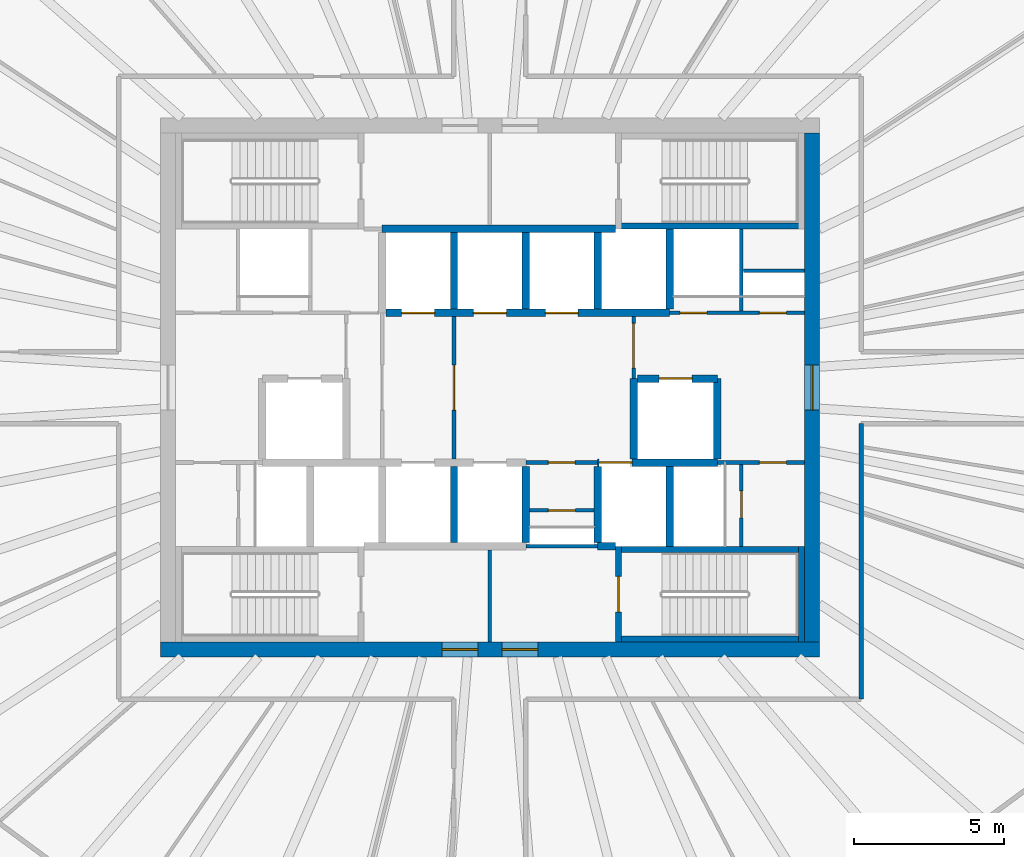
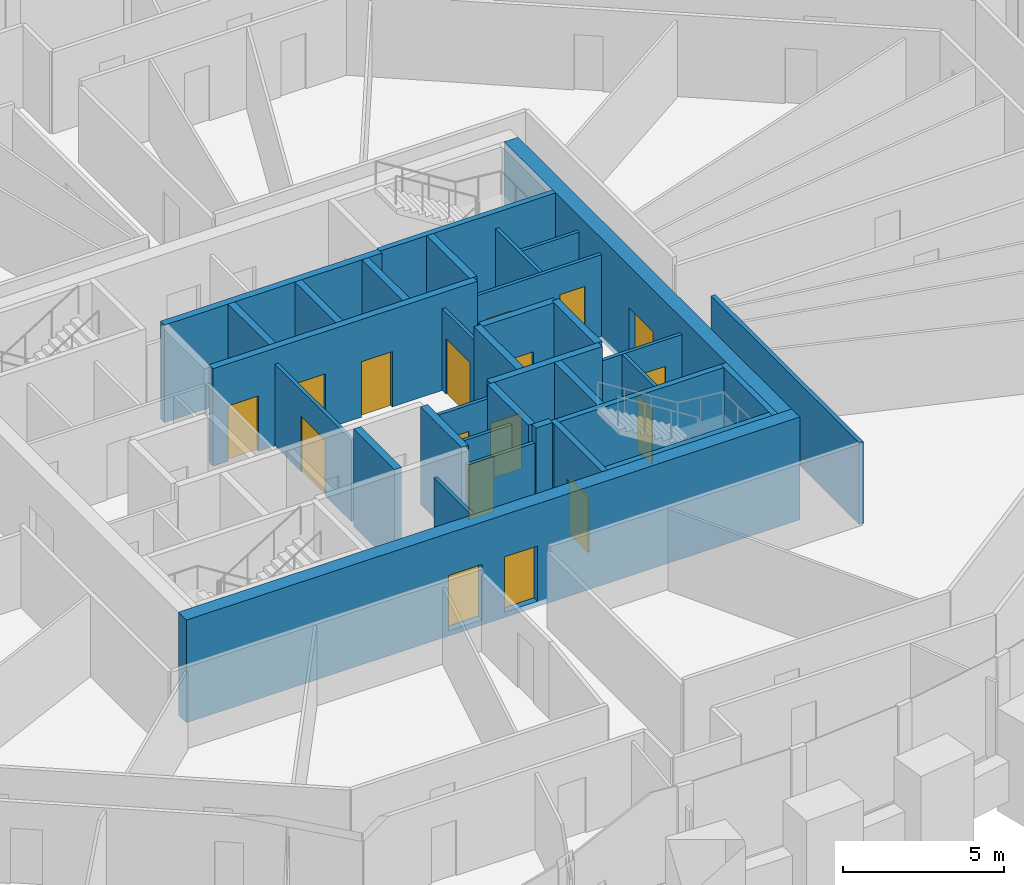
# One storey, part 8 of 12: 34 walls, 17 doors, 17 openings.
"""IFC4 building model written with IfcOpenShell, lengths in metres."""

from ifc_helpers import new_model, si_unit, direction, frame, frame_2d, origin, place, context, subcontext, project, spatial, rectangle, extrude, source, transform, mapped, material, layer, layer_set, type_object, element, fill, save


model = new_model("IFC4")

# Units and contexts
model_context = context("Model", 3, precision=1e-05, world=origin(), true_north=direction((0.0, 1.0)))
body_context = subcontext(model_context, "Body", "Model", "MODEL_VIEW")
ifc_project = project(units=[si_unit("LENGTHUNIT", "METRE"), si_unit("AREAUNIT", "SQUARE_METRE"), si_unit("VOLUMEUNIT", "CUBIC_METRE"), si_unit("PLANEANGLEUNIT", "RADIAN"), si_unit("MASSUNIT", "GRAM", prefix="KILO")], contexts=[model_context])

# Site, building, storey
site_placement = place(None, origin())
site = spatial("IfcSite", under=ifc_project, at=site_placement, CompositionType="ELEMENT")
building_placement = place(site_placement, origin())
building = spatial("IfcBuilding", under=site, at=building_placement, Name="Embergate Tower", CompositionType="ELEMENT")
storey_placement = place(building_placement, frame((0.0, 0.0, 253.89990234375)))
storey = spatial("IfcBuildingStorey", under=building, at=storey_placement, Name="L58", CompositionType="ELEMENT", Elevation=253.89990234375)

# Wall, openings, doors
ifc_material_1 = material(Name="Concrete C50", Category="concrete")
ifc_layer_1 = layer(ifc_material_1, 0.5)
ifc_layer_set_1 = layer_set([ifc_layer_1], Name="Concrete C50")
wall_type_1 = type_object("IfcWallType", Name="Core outer wall C50 500", PredefinedType="SHEAR", material=ifc_layer_set_1)
shared_shape_1 = source(origin(), body_context, "Body", "SweptSolid", [
    extrude(rectangle(XDim=22.0, YDim=0.5, at=frame_2d((11.0, 0.0))), origin(), (0.0, 0.0, 1.0), 3.900146484375),
])
wall_1_placement = place(storey_placement, frame((-11.0, -8.75, -0.199951171875), z_axis=(0.0, 0.0, 1.0), x_axis=(1.0, 0.0, 0.0)))
wall_1 = element("IfcWall", 1, at=wall_1_placement, inside=storey, type_object=wall_type_1, Name="CW-L58-S", PredefinedType="SHEAR", context=body_context, shape_type="MappedRepresentation", body=[
    mapped(shared_shape_1, transform((0.0, 0.0, 0.0))),
])
shared_shape_2 = source(origin(), body_context, "Body", "SweptSolid", [
    extrude(rectangle(XDim=1.199951171875, YDim=2.10009765625, at=frame_2d((0.60009765625, 1.050048828125))), frame((0.0, 0.260009765625, 0.0), z_axis=(0.0, -1.0, 0.0), x_axis=(1.0, 0.0, 0.0)), (0.0, 0.0, 1.0), 0.52001953125),
])
opening_1_placement = place(wall_1_placement, frame((9.39990234375, 0.0, 0.199951171875)))
opening_1 = element("IfcOpeningElement", 2, at=opening_1_placement, cuts=wall_1, Name="Opening IF-1", PredefinedType="OPENING", context=body_context, shape_type="MappedRepresentation", body=[
    mapped(shared_shape_2, transform((0.0, 0.0, 0.0))),
])
opening_2_placement = place(wall_1_placement, frame((11.39990234375, 0.0, 0.199951171875)))
opening_2 = element("IfcOpeningElement", 3, at=opening_2_placement, cuts=wall_1, Name="Opening IF-1", PredefinedType="OPENING", context=body_context, shape_type="MappedRepresentation", body=[
    mapped(shared_shape_2, transform((0.0, 0.0, 0.0))),
])
ifc_material_2 = material(Name="Escape fire door 1200")
door_type_1 = type_object("IfcDoorType", Name="Escape fire door 1200", OperationType="SINGLE_SWING_LEFT", PredefinedType="DOOR", material=ifc_material_2)
shared_shape_3 = source(origin(), body_context, "Body", "SweptSolid", [
    extrude(rectangle(XDim=1.199951171875, YDim=2.10009765625, at=frame_2d((0.60009765625, 1.050048828125))), frame((0.0, 0.02490234375, 0.0), z_axis=(0.0, -1.0, 0.0), x_axis=(1.0, 0.0, 0.0)), (0.0, 0.0, 1.0), 0.050048828125),
])
door_1_placement = place(opening_1_placement, origin())
door_1 = element("IfcDoor", 4, at=door_1_placement, inside=storey, type_object=door_type_1, Name="IF-1 door", OperationType="SINGLE_SWING_LEFT", OverallHeight=2.10009765625, OverallWidth=1.199951171875, PredefinedType="DOOR", context=body_context, shape_type="MappedRepresentation", body=[
    mapped(shared_shape_3, transform((0.0, 0.0, 0.0))),
])
fill(opening_1, door_1)
door_2_placement = place(opening_2_placement, origin())
door_2 = element("IfcDoor", 5, at=door_2_placement, inside=storey, type_object=door_type_1, Name="IF-1 door", OperationType="SINGLE_SWING_RIGHT", OverallHeight=2.10009765625, OverallWidth=1.199951171875, PredefinedType="DOOR", context=body_context, shape_type="MappedRepresentation", body=[
    mapped(shared_shape_3, transform((0.0, 0.0, 0.0))),
])
fill(opening_2, door_2)

# Wall, opening, door
shared_shape_4 = source(origin(), body_context, "Body", "SweptSolid", [
    extrude(rectangle(XDim=17.0, YDim=0.5, at=frame_2d((8.5, 0.0))), origin(), (0.0, 0.0, 1.0), 3.900146484375),
])
wall_2_placement = place(storey_placement, frame((10.75, -8.5, -0.199951171875), z_axis=(0.0, 0.0, 1.0), x_axis=(0.0, 1.0, 0.0)))
wall_2 = element("IfcWall", 6, at=wall_2_placement, inside=storey, type_object=wall_type_1, Name="CW-L58-E", PredefinedType="SHEAR", context=body_context, shape_type="MappedRepresentation", body=[
    mapped(shared_shape_4, transform((0.0, 0.0, 0.0))),
])
shared_shape_5 = source(origin(), body_context, "Body", "SweptSolid", [
    extrude(rectangle(XDim=1.5, YDim=2.10009765625, at=frame_2d((0.75, 1.050048828125))), frame((0.0, 0.260009765625, 0.0), z_axis=(0.0, -1.0, 0.0), x_axis=(1.0, 0.0, 0.0)), (0.0, 0.0, 1.0), 0.52001953125),
])
opening_3_placement = place(wall_2_placement, frame((7.75, 0.0, 0.199951171875)))
opening_3 = element("IfcOpeningElement", 7, at=opening_3_placement, cuts=wall_2, Name="Opening IF-3", PredefinedType="OPENING", context=body_context, shape_type="MappedRepresentation", body=[
    mapped(shared_shape_5, transform((0.0, 0.0, 0.0))),
])
ifc_material_3 = material(Name="Lobby fire door pair 1500")
door_type_2 = type_object("IfcDoorType", Name="Lobby fire door pair 1500", OperationType="DOUBLE_DOOR_SINGLE_SWING", PredefinedType="DOOR", material=ifc_material_3)
shared_shape_6 = source(origin(), body_context, "Body", "SweptSolid", [
    extrude(rectangle(XDim=1.5, YDim=2.10009765625, at=frame_2d((0.75, 1.050048828125))), frame((0.0, 0.02490234375, 0.0), z_axis=(0.0, -1.0, 0.0), x_axis=(1.0, 0.0, 0.0)), (0.0, 0.0, 1.0), 0.050048828125),
])
door_3_placement = place(opening_3_placement, origin())
door_3 = element("IfcDoor", 8, at=door_3_placement, inside=storey, type_object=door_type_2, Name="IF-3 door", OperationType="DOUBLE_DOOR_SINGLE_SWING", OverallHeight=2.10009765625, OverallWidth=1.5, PredefinedType="DOOR", context=body_context, shape_type="MappedRepresentation", body=[
    mapped(shared_shape_6, transform((0.0, 0.0, 0.0))),
])
fill(opening_3, door_3)

ifc_material_4 = material(Name="Core partition blockwork 120")
ifc_layer_2 = layer(ifc_material_4, 0.1201171875)
ifc_layer_set_2 = layer_set([ifc_layer_2], Name="Core partition blockwork 120")
wall_type_2 = type_object("IfcWallType", Name="Core partition blockwork 120", PredefinedType="PARTITIONING", material=ifc_layer_set_2)
shared_shape_7 = source(origin(), body_context, "Body", "SweptSolid", [
    extrude(rectangle(XDim=2.739990234375, YDim=0.1201171875, at=frame_2d((1.3701171875, 0.0))), origin(), (0.0, 0.0, 1.0), 3.10009765625),
])
wall_3_placement = place(storey_placement, frame((8.39990234375, -5.300048828125, 0.0), z_axis=(0.0, 0.0, 1.0), x_axis=(0.0, 1.0, 0.0)))
wall_3 = element("IfcWall", 9, at=wall_3_placement, inside=storey, type_object=wall_type_2, Name="IP-3 wall", PredefinedType="PARTITIONING", context=body_context, shape_type="MappedRepresentation", body=[
    mapped(shared_shape_7, transform((0.0, 0.0, 0.0))),
])
shared_shape_8 = source(origin(), body_context, "Body", "SweptSolid", [
    extrude(rectangle(XDim=0.89990234375, YDim=2.10009765625, at=frame_2d((0.449951171875, 1.050048828125))), frame((0.0, 0.070068359375, 0.0), z_axis=(0.0, -1.0, 0.0), x_axis=(1.0, 0.0, 0.0)), (0.0, 0.0, 1.0), 0.14013671875),
])
opening_4_placement = place(wall_3_placement, frame((0.949951171875, 0.0, 0.0)))
opening_4 = element("IfcOpeningElement", 10, at=opening_4_placement, cuts=wall_3, Name="Opening ID-1", PredefinedType="OPENING", context=body_context, shape_type="MappedRepresentation", body=[
    mapped(shared_shape_8, transform((0.0, 0.0, 0.0))),
])
ifc_material_5 = material(Name="Interior door 900")
door_type_3 = type_object("IfcDoorType", Name="Interior door 900", OperationType="SINGLE_SWING_LEFT", PredefinedType="DOOR", material=ifc_material_5)
shared_shape_9 = source(origin(), body_context, "Body", "SweptSolid", [
    extrude(rectangle(XDim=0.89990234375, YDim=2.10009765625, at=frame_2d((0.449951171875, 1.050048828125))), frame((0.0, 0.02490234375, 0.0), z_axis=(0.0, -1.0, 0.0), x_axis=(1.0, 0.0, 0.0)), (0.0, 0.0, 1.0), 0.050048828125),
])
door_4_placement = place(opening_4_placement, origin())
door_4 = element("IfcDoor", 11, at=door_4_placement, inside=storey, type_object=door_type_3, Name="ID-1 door", OperationType="SINGLE_SWING_LEFT", OverallHeight=2.10009765625, OverallWidth=0.89990234375, PredefinedType="DOOR", context=body_context, shape_type="MappedRepresentation", body=[
    mapped(shared_shape_9, transform((0.0, 0.0, 0.0))),
])
fill(opening_4, door_4)

shared_shape_10 = source(origin(), body_context, "Body", "SweptSolid", [
    extrude(rectangle(XDim=4.75, YDim=0.1201171875, at=frame_2d((2.375, 0.0))), origin(), (0.0, 0.0, 1.0), 3.10009765625),
])
wall_4_placement = place(storey_placement, frame((-1.199951171875, -2.375, 0.0), z_axis=(0.0, 0.0, 1.0), x_axis=(0.0, 1.0, 0.0)))
wall_4 = element("IfcWall", 12, at=wall_4_placement, inside=storey, type_object=wall_type_2, Name="IP-3 wall", PredefinedType="PARTITIONING", context=body_context, shape_type="MappedRepresentation", body=[
    mapped(shared_shape_10, transform((0.0, 0.0, 0.0))),
])
shared_shape_11 = source(origin(), body_context, "Body", "SweptSolid", [
    extrude(rectangle(XDim=1.5, YDim=2.10009765625, at=frame_2d((0.75, 1.050048828125))), frame((0.0, 0.070068359375, 0.0), z_axis=(0.0, -1.0, 0.0), x_axis=(1.0, 0.0, 0.0)), (0.0, 0.0, 1.0), 0.14013671875),
])
opening_5_placement = place(wall_4_placement, frame((1.625, 0.0, 0.0)))
opening_5 = element("IfcOpeningElement", 13, at=opening_5_placement, cuts=wall_4, Name="Opening IF-3", PredefinedType="OPENING", context=body_context, shape_type="MappedRepresentation", body=[
    mapped(shared_shape_11, transform((0.0, 0.0, 0.0))),
])
door_5_placement = place(opening_5_placement, origin())
door_5 = element("IfcDoor", 14, at=door_5_placement, inside=storey, type_object=door_type_2, Name="IF-3 door", OperationType="DOUBLE_DOOR_SINGLE_SWING", OverallHeight=2.10009765625, OverallWidth=1.5, PredefinedType="DOOR", context=body_context, shape_type="MappedRepresentation", body=[
    mapped(shared_shape_6, transform((0.0, 0.0, 0.0))),
])
fill(opening_5, door_5)

shared_shape_12 = source(origin(), body_context, "Body", "SweptSolid", [
    extrude(rectangle(XDim=2.074951171875, YDim=0.1201171875, at=frame_2d((1.03759765625, 0.0))), origin(), (0.0, 0.0, 1.0), 3.10009765625),
])
wall_5_placement = place(storey_placement, frame((4.800048828125, 0.300048828125, 0.0), z_axis=(0.0, 0.0, 1.0), x_axis=(0.0, 1.0, 0.0)))
wall_5 = element("IfcWall", 15, at=wall_5_placement, inside=storey, type_object=wall_type_2, Name="IP-3 wall", PredefinedType="PARTITIONING", context=body_context, shape_type="MappedRepresentation", body=[
    mapped(shared_shape_12, transform((0.0, 0.0, 0.0))),
])
opening_6_placement = place(wall_5_placement, frame((0.35009765625, 0.0, 0.0)))
opening_6 = element("IfcOpeningElement", 16, at=opening_6_placement, cuts=wall_5, Name="Opening IF-3", PredefinedType="OPENING", context=body_context, shape_type="MappedRepresentation", body=[
    mapped(shared_shape_11, transform((0.0, 0.0, 0.0))),
])
door_6_placement = place(opening_6_placement, origin())
door_6 = element("IfcDoor", 17, at=door_6_placement, inside=storey, type_object=door_type_2, Name="IF-3 door", OperationType="DOUBLE_DOOR_SINGLE_SWING", OverallHeight=2.10009765625, OverallWidth=1.5, PredefinedType="DOOR", context=body_context, shape_type="MappedRepresentation", body=[
    mapped(shared_shape_6, transform((0.0, 0.0, 0.0))),
])
fill(opening_6, door_6)

# Walls
ifc_layer_3 = layer(ifc_material_1, 0.25)
ifc_layer_set_3 = layer_set([ifc_layer_3], Name="Concrete C50")
wall_type_3 = type_object("IfcWallType", Name="Hoistway wall reinforced concrete 250", PredefinedType="SHEAR", material=ifc_layer_set_3)
shared_shape_13 = source(origin(), body_context, "Body", "SweptSolid", [
    extrude(rectangle(XDim=2.675048828125, YDim=0.25, at=frame_2d((1.33740234375, 0.0))), origin(), (0.0, 0.0, 1.0), 3.7001953125),
])
for number, where, z_axis, x_axis, name in (
    (18, (6.0, 2.625, 0.0), (0.0, 0.0, 1.0), (0.0, 1.0, 0.0), "HW-1 wall"),
    (19, (6.0, -5.300048828125, 0.0), (0.0, 0.0, 1.0), (0.0, 1.0, 0.0), "HW-1 wall"),
    (20, (4.800048828125, -2.375, 0.0), (0.0, 0.0, 1.0), (0.0, 1.0, 0.0), "HW-1 wall"),
):
    element("IfcWall", number, at=place(storey_placement, frame(where, z_axis=z_axis, x_axis=x_axis)), inside=storey, type_object=wall_type_3, Name=name, PredefinedType="SHEAR", context=body_context, shape_type="MappedRepresentation", body=[
        mapped(shared_shape_13, transform((0.0, 0.0, 0.0))),
    ])

# Wall, opening, door
wall_6_placement = place(storey_placement, frame((7.60009765625, 0.300048828125, 0.0), z_axis=(0.0, 0.0, 1.0), x_axis=(-1.0, 0.0, 0.0)))
wall_6 = element("IfcWall", 21, at=wall_6_placement, inside=storey, type_object=wall_type_3, Name="HW-1 wall", PredefinedType="SHEAR", context=body_context, shape_type="MappedRepresentation", body=[
    mapped(shared_shape_13, transform((0.0, 0.0, 0.0))),
])
shared_shape_14 = source(origin(), body_context, "Body", "SweptSolid", [
    extrude(rectangle(XDim=1.10009765625, YDim=2.10009765625, at=frame_2d((0.550048828125, 1.050048828125))), frame((0.0, 0.135009765625, 0.0), z_axis=(0.0, -1.0, 0.0), x_axis=(1.0, 0.0, 0.0)), (0.0, 0.0, 1.0), 0.27001953125),
])
opening_7_placement = place(wall_6_placement, frame((0.85009765625, 0.0, 0.0)))
opening_7 = element("IfcOpeningElement", 22, at=opening_7_placement, cuts=wall_6, Name="Opening LD", PredefinedType="OPENING", context=body_context, shape_type="MappedRepresentation", body=[
    mapped(shared_shape_14, transform((0.0, 0.0, 0.0))),
])
ifc_material_6 = material(Name="Landing door sliding 1100")
door_type_4 = type_object("IfcDoorType", Name="Landing door sliding 1100", OperationType="SLIDING_TO_LEFT", PredefinedType="DOOR", material=ifc_material_6)
shared_shape_15 = source(origin(), body_context, "Body", "SweptSolid", [
    extrude(rectangle(XDim=1.10009765625, YDim=2.10009765625, at=frame_2d((0.550048828125, 1.050048828125))), frame((0.0, 0.02490234375, 0.0), z_axis=(0.0, -1.0, 0.0), x_axis=(1.0, 0.0, 0.0)), (0.0, 0.0, 1.0), 0.050048828125),
])
door_7_placement = place(opening_7_placement, origin())
door_7 = element("IfcDoor", 23, at=door_7_placement, inside=storey, type_object=door_type_4, Name="LD door", OperationType="SLIDING_TO_RIGHT", OverallHeight=2.10009765625, OverallWidth=1.10009765625, PredefinedType="DOOR", context=body_context, shape_type="MappedRepresentation", body=[
    mapped(shared_shape_15, transform((0.0, 0.0, 0.0))),
])
fill(opening_7, door_7)

# Walls
wall_7_placement = place(storey_placement, frame((7.60009765625, -2.375, 0.0), z_axis=(0.0, 0.0, 1.0), x_axis=(0.0, 1.0, 0.0)))
element("IfcWall", 24, at=wall_7_placement, inside=storey, type_object=wall_type_3, Name="HW-1 wall", PredefinedType="SHEAR", context=body_context, shape_type="MappedRepresentation", body=[
    mapped(shared_shape_13, transform((0.0, 0.0, 0.0))),
])
ifc_layer_4 = layer(ifc_material_1, 0.199951171875)
ifc_layer_set_4 = layer_set([ifc_layer_4], Name="Concrete C50")
wall_type_4 = type_object("IfcWallType", Name="Stair enclosure wall reinforced concrete 250", PredefinedType="SHEAR", material=ifc_layer_set_4)
shared_shape_16 = source(origin(), body_context, "Body", "SweptSolid", [
    extrude(rectangle(XDim=6.300048828125, YDim=0.199951171875, at=frame_2d((3.14990234375, 0.0))), origin(), (0.0, 0.0, 1.0), 3.7001953125),
])
for number, where, z_axis, x_axis, name in (
    (25, (10.5, 5.39990234375, 0.0), (0.0, 0.0, 1.0), (-1.0, 0.0, 0.0), "SE-1 wall"),
    (26, (4.199951171875, -5.39990234375, 0.0), (0.0, 0.0, 1.0), (1.0, 0.0, 0.0), "SE-1 wall"),
):
    element("IfcWall", number, at=place(storey_placement, frame(where, z_axis=z_axis, x_axis=x_axis)), inside=storey, type_object=wall_type_4, Name=name, PredefinedType="SHEAR", context=body_context, shape_type="MappedRepresentation", body=[
        mapped(shared_shape_16, transform((0.0, 0.0, 0.0))),
    ])
shared_shape_17 = source(origin(), body_context, "Body", "SweptSolid", [
    extrude(rectangle(XDim=2.550048828125, YDim=0.25, at=frame_2d((1.27490234375, 0.0))), origin(), (0.0, 0.0, 1.0), 3.7001953125),
])
for number, where, z_axis, x_axis, name in (
    (27, (-1.199951171875, 2.625, 0.0), (0.0, 0.0, 1.0), (0.0, 1.0, 0.0), "HW-1 wall"),
    (28, (1.199951171875, 2.625, 0.0), (0.0, 0.0, 1.0), (0.0, 1.0, 0.0), "HW-1 wall"),
    (29, (3.60009765625, 2.625, 0.0), (0.0, 0.0, 1.0), (0.0, 1.0, 0.0), "HW-1 wall"),
    (30, (-1.199951171875, -5.175048828125, 0.0), (0.0, 0.0, 1.0), (0.0, 1.0, 0.0), "HW-1 wall"),
    (31, (1.199951171875, -5.175048828125, 0.0), (0.0, 0.0, 1.0), (0.0, 1.0, 0.0), "HW-1 wall"),
    (32, (3.60009765625, -2.625, 0.0), (0.0, 0.0, 1.0), (0.0, -1.0, 0.0), "HW-1 wall"),
):
    element("IfcWall", number, at=place(storey_placement, frame(where, z_axis=z_axis, x_axis=x_axis)), inside=storey, type_object=wall_type_3, Name=name, PredefinedType="SHEAR", context=body_context, shape_type="MappedRepresentation", body=[
        mapped(shared_shape_17, transform((0.0, 0.0, 0.0))),
    ])

# Wall, opening, door
shared_shape_18 = source(origin(), body_context, "Body", "SweptSolid", [
    extrude(rectangle(XDim=3.199951171875, YDim=0.199951171875, at=frame_2d((1.60009765625, 0.0))), origin(), (0.0, 0.0, 1.0), 3.7001953125),
])
wall_8_placement = place(storey_placement, frame((4.300048828125, -5.300048828125, 0.0), z_axis=(0.0, 0.0, 1.0), x_axis=(0.0, -1.0, 0.0)))
wall_8 = element("IfcWall", 33, at=wall_8_placement, inside=storey, type_object=wall_type_4, Name="SE-1 wall", PredefinedType="SHEAR", context=body_context, shape_type="MappedRepresentation", body=[
    mapped(shared_shape_18, transform((0.0, 0.0, 0.0))),
])
shared_shape_19 = source(origin(), body_context, "Body", "SweptSolid", [
    extrude(rectangle(XDim=1.199951171875, YDim=2.10009765625, at=frame_2d((0.60009765625, 1.050048828125))), frame((0.0, 0.10986328125, 0.0), z_axis=(0.0, -1.0, 0.0), x_axis=(1.0, 0.0, 0.0)), (0.0, 0.0, 1.0), 0.219970703125),
])
opening_8_placement = place(wall_8_placement, frame((1.0, 0.0, 0.0)))
opening_8 = element("IfcOpeningElement", 34, at=opening_8_placement, cuts=wall_8, Name="Opening IF-2", PredefinedType="OPENING", context=body_context, shape_type="MappedRepresentation", body=[
    mapped(shared_shape_19, transform((0.0, 0.0, 0.0))),
])
ifc_material_7 = material(Name="Stair enclosure door 1200")
door_type_5 = type_object("IfcDoorType", Name="Stair enclosure door 1200", OperationType="SINGLE_SWING_LEFT", PredefinedType="DOOR", material=ifc_material_7)
door_8_placement = place(opening_8_placement, origin())
door_8 = element("IfcDoor", 35, at=door_8_placement, inside=storey, type_object=door_type_5, Name="IF-2 door", OperationType="SINGLE_SWING_RIGHT", OverallHeight=2.10009765625, OverallWidth=1.199951171875, PredefinedType="DOOR", context=body_context, shape_type="MappedRepresentation", body=[
    mapped(shared_shape_3, transform((0.0, 0.0, 0.0))),
])
fill(opening_8, door_8)

# Walls
shared_shape_20 = source(origin(), body_context, "Body", "SweptSolid", [
    extrude(rectangle(XDim=0.599853515625, YDim=0.25, at=frame_2d((0.2998046875, 0.0))), origin(), (0.0, 0.0, 1.0), 3.7001953125),
])
wall_9_placement = place(storey_placement, frame((3.60009765625, -5.300048828125, 0.0), z_axis=(0.0, 0.0, 1.0), x_axis=(1.0, 0.0, 0.0)))
element("IfcWall", 36, at=wall_9_placement, inside=storey, type_object=wall_type_3, Name="HW-1 wall", PredefinedType="SHEAR", context=body_context, shape_type="MappedRepresentation", body=[
    mapped(shared_shape_20, transform((0.0, 0.0, 0.0))),
])
ifc_material_8 = material(Name="Corridor wall dry-lined 150")
ifc_layer_5 = layer(ifc_material_8, 0.14990234375)
ifc_layer_set_5 = layer_set([ifc_layer_5], Name="Corridor wall dry-lined 150")
wall_type_5 = type_object("IfcWallType", Name="Corridor wall dry-lined 150", PredefinedType="PARTITIONING", material=ifc_layer_set_5)
shared_shape_21 = source(origin(), body_context, "Body", "SweptSolid", [
    extrude(rectangle(XDim=9.199951171875, YDim=0.14990234375, at=frame_2d((4.60009765625, 0.0))), origin(), (0.0, 0.0, 1.0), 3.10009765625),
])
wall_10_placement = place(storey_placement, frame((12.39990234375, -1.199951171875, 0.0), z_axis=(0.0, 0.0, 1.0), x_axis=(0.0, -1.0, 0.0)))
element("IfcWall", 37, at=wall_10_placement, inside=storey, type_object=wall_type_5, Name="IP-2 wall", PredefinedType="PARTITIONING", context=body_context, shape_type="MappedRepresentation", body=[
    mapped(shared_shape_21, transform((0.0, 0.0, 0.0))),
])

# Wall, openings, doors
shared_shape_22 = source(origin(), body_context, "Body", "SweptSolid", [
    extrude(rectangle(XDim=4.5, YDim=0.1201171875, at=frame_2d((2.25, 0.0))), origin(), (0.0, 0.0, 1.0), 3.10009765625),
])
wall_11_placement = place(storey_placement, frame((6.0, 2.5, 0.0), z_axis=(0.0, 0.0, 1.0), x_axis=(1.0, 0.0, 0.0)))
wall_11 = element("IfcWall", 38, at=wall_11_placement, inside=storey, type_object=wall_type_2, Name="IP-3 wall", PredefinedType="PARTITIONING", context=body_context, shape_type="MappedRepresentation", body=[
    mapped(shared_shape_22, transform((0.0, 0.0, 0.0))),
])
opening_9_placement = place(wall_11_placement, frame((0.35009765625, 0.0, 0.0)))
opening_9 = element("IfcOpeningElement", 39, at=opening_9_placement, cuts=wall_11, Name="Opening ID-1", PredefinedType="OPENING", context=body_context, shape_type="MappedRepresentation", body=[
    mapped(shared_shape_8, transform((0.0, 0.0, 0.0))),
])
opening_10_placement = place(wall_11_placement, frame((3.0, 0.0, 0.0)))
opening_10 = element("IfcOpeningElement", 40, at=opening_10_placement, cuts=wall_11, Name="Opening ID-1", PredefinedType="OPENING", context=body_context, shape_type="MappedRepresentation", body=[
    mapped(shared_shape_8, transform((0.0, 0.0, 0.0))),
])
door_9_placement = place(opening_9_placement, origin())
door_9 = element("IfcDoor", 41, at=door_9_placement, inside=storey, type_object=door_type_3, Name="ID-1 door", OperationType="SINGLE_SWING_RIGHT", OverallHeight=2.10009765625, OverallWidth=0.89990234375, PredefinedType="DOOR", context=body_context, shape_type="MappedRepresentation", body=[
    mapped(shared_shape_9, transform((0.0, 0.0, 0.0))),
])
fill(opening_9, door_9)
door_10_placement = place(opening_10_placement, origin())
door_10 = element("IfcDoor", 42, at=door_10_placement, inside=storey, type_object=door_type_3, Name="ID-1 door", OperationType="SINGLE_SWING_RIGHT", OverallHeight=2.10009765625, OverallWidth=0.89990234375, PredefinedType="DOOR", context=body_context, shape_type="MappedRepresentation", body=[
    mapped(shared_shape_9, transform((0.0, 0.0, 0.0))),
])
fill(opening_10, door_10)

# Wall
shared_shape_23 = source(origin(), body_context, "Body", "SweptSolid", [
    extrude(rectangle(XDim=2.738037109375, YDim=0.1201171875, at=frame_2d((1.369140625, 0.0))), origin(), (0.0, 0.0, 1.0), 3.10009765625),
])
wall_12_placement = place(storey_placement, frame((8.39990234375, 2.56005859375, 0.0), z_axis=(0.0, 0.0, 1.0), x_axis=(0.0, 1.0, 0.0)))
element("IfcWall", 43, at=wall_12_placement, inside=storey, type_object=wall_type_2, Name="IP-3 wall", PredefinedType="PARTITIONING", context=body_context, shape_type="MappedRepresentation", body=[
    mapped(shared_shape_23, transform((0.0, 0.0, 0.0))),
])

# Wall, opening, door
shared_shape_24 = source(origin(), body_context, "Body", "SweptSolid", [
    extrude(rectangle(XDim=2.89990234375, YDim=0.1201171875, at=frame_2d((1.449951171875, 0.0))), origin(), (0.0, 0.0, 1.0), 3.10009765625),
])
wall_13_placement = place(storey_placement, frame((10.5, -2.5, 0.0), z_axis=(0.0, 0.0, 1.0), x_axis=(-1.0, 0.0, 0.0)))
wall_13 = element("IfcWall", 44, at=wall_13_placement, inside=storey, type_object=wall_type_2, Name="IP-3 wall", PredefinedType="PARTITIONING", context=body_context, shape_type="MappedRepresentation", body=[
    mapped(shared_shape_24, transform((0.0, 0.0, 0.0))),
])
opening_11_placement = place(wall_13_placement, frame((0.60009765625, 0.0, 0.0)))
opening_11 = element("IfcOpeningElement", 45, at=opening_11_placement, cuts=wall_13, Name="Opening ID-1", PredefinedType="OPENING", context=body_context, shape_type="MappedRepresentation", body=[
    mapped(shared_shape_8, transform((0.0, 0.0, 0.0))),
])
door_11_placement = place(opening_11_placement, origin())
door_11 = element("IfcDoor", 46, at=door_11_placement, inside=storey, type_object=door_type_3, Name="ID-1 door", OperationType="SINGLE_SWING_RIGHT", OverallHeight=2.10009765625, OverallWidth=0.89990234375, PredefinedType="DOOR", context=body_context, shape_type="MappedRepresentation", body=[
    mapped(shared_shape_9, transform((0.0, 0.0, 0.0))),
])
fill(opening_11, door_11)

shared_shape_25 = source(origin(), body_context, "Body", "SweptSolid", [
    extrude(rectangle(XDim=2.400146484375, YDim=0.1201171875, at=frame_2d((1.2001953125, 0.0))), origin(), (0.0, 0.0, 1.0), 3.10009765625),
])
wall_14_placement = place(storey_placement, frame((1.199951171875, -2.5, 0.0), z_axis=(0.0, 0.0, 1.0), x_axis=(1.0, 0.0, 0.0)))
wall_14 = element("IfcWall", 47, at=wall_14_placement, inside=storey, type_object=wall_type_2, Name="IP-3 wall", PredefinedType="PARTITIONING", context=body_context, shape_type="MappedRepresentation", body=[
    mapped(shared_shape_25, transform((0.0, 0.0, 0.0))),
])
opening_12_placement = place(wall_14_placement, frame((0.75, 0.0, 0.0)))
opening_12 = element("IfcOpeningElement", 48, at=opening_12_placement, cuts=wall_14, Name="Opening ID-1", PredefinedType="OPENING", context=body_context, shape_type="MappedRepresentation", body=[
    mapped(shared_shape_8, transform((0.0, 0.0, 0.0))),
])
door_12_placement = place(opening_12_placement, origin())
door_12 = element("IfcDoor", 49, at=door_12_placement, inside=storey, type_object=door_type_3, Name="ID-1 door", OperationType="SINGLE_SWING_RIGHT", OverallHeight=2.10009765625, OverallWidth=0.89990234375, PredefinedType="DOOR", context=body_context, shape_type="MappedRepresentation", body=[
    mapped(shared_shape_9, transform((0.0, 0.0, 0.0))),
])
fill(opening_12, door_12)

# Walls
wall_15_placement = place(storey_placement, frame((3.60009765625, -5.300048828125, 0.0), z_axis=(0.0, 0.0, 1.0), x_axis=(-1.0, 0.0, 0.0)))
element("IfcWall", 50, at=wall_15_placement, inside=storey, type_object=wall_type_2, Name="IP-3 wall", PredefinedType="PARTITIONING", context=body_context, shape_type="MappedRepresentation", body=[
    mapped(shared_shape_25, transform((0.0, 0.0, 0.0))),
])
shared_shape_26 = source(origin(), body_context, "Body", "SweptSolid", [
    extrude(rectangle(XDim=3.074951171875, YDim=0.1201171875, at=frame_2d((1.53759765625, 0.0))), origin(), (0.0, 0.0, 1.0), 3.10009765625),
])
wall_16_placement = place(storey_placement, frame((0.0, -8.5, 0.0), z_axis=(0.0, 0.0, 1.0), x_axis=(0.0, 1.0, 0.0)))
element("IfcWall", 51, at=wall_16_placement, inside=storey, type_object=wall_type_2, Name="IP-3 wall", PredefinedType="PARTITIONING", context=body_context, shape_type="MappedRepresentation", body=[
    mapped(shared_shape_26, transform((0.0, 0.0, 0.0))),
])

# Wall, opening, door
shared_shape_27 = source(origin(), body_context, "Body", "SweptSolid", [
    extrude(rectangle(XDim=2.150146484375, YDim=0.1201171875, at=frame_2d((1.0751953125, 0.0))), origin(), (0.0, 0.0, 1.0), 3.10009765625),
])
wall_17_placement = place(storey_placement, frame((3.47509765625, -4.095947265625, 0.0), z_axis=(0.0, 0.0, 1.0), x_axis=(-1.0, 0.0, 0.0)))
wall_17 = element("IfcWall", 52, at=wall_17_placement, inside=storey, type_object=wall_type_2, Name="IP-3 wall", PredefinedType="PARTITIONING", context=body_context, shape_type="MappedRepresentation", body=[
    mapped(shared_shape_27, transform((0.0, 0.0, 0.0))),
])
opening_13_placement = place(wall_17_placement, frame((0.625, 0.0, 0.0)))
opening_13 = element("IfcOpeningElement", 53, at=opening_13_placement, cuts=wall_17, Name="Opening ID-1", PredefinedType="OPENING", context=body_context, shape_type="MappedRepresentation", body=[
    mapped(shared_shape_8, transform((0.0, 0.0, 0.0))),
])
door_13_placement = place(opening_13_placement, origin())
door_13 = element("IfcDoor", 54, at=door_13_placement, inside=storey, type_object=door_type_3, Name="ID-1 door", OperationType="SINGLE_SWING_LEFT", OverallHeight=2.10009765625, OverallWidth=0.89990234375, PredefinedType="DOOR", context=body_context, shape_type="MappedRepresentation", body=[
    mapped(shared_shape_9, transform((0.0, 0.0, 0.0))),
])
fill(opening_13, door_13)

# Wall
shared_shape_28 = source(origin(), body_context, "Body", "SweptSolid", [
    extrude(rectangle(XDim=2.0380859375, YDim=0.1201171875, at=frame_2d((1.01904296875, 0.0))), origin(), (0.0, 0.0, 1.0), 3.10009765625),
])
wall_18_placement = place(storey_placement, frame((10.5, 3.89990234375, 0.0), z_axis=(0.0, 0.0, 1.0), x_axis=(-1.0, 0.0, 0.0)))
element("IfcWall", 55, at=wall_18_placement, inside=storey, type_object=wall_type_2, Name="IP-3 wall", PredefinedType="PARTITIONING", context=body_context, shape_type="MappedRepresentation", body=[
    mapped(shared_shape_28, transform((0.0, 0.0, 0.0))),
])

# Wall, openings, doors
shared_shape_29 = source(origin(), body_context, "Body", "SweptSolid", [
    extrude(rectangle(XDim=9.47509765625, YDim=0.25, at=frame_2d((4.737548828125, 0.0))), origin(), (0.0, 0.0, 1.0), 3.7001953125),
])
wall_19_placement = place(storey_placement, frame((-3.47509765625, 2.5, 0.0), z_axis=(0.0, 0.0, 1.0), x_axis=(1.0, 0.0, 0.0)))
wall_19 = element("IfcWall", 56, at=wall_19_placement, inside=storey, type_object=wall_type_3, Name="HW-1 wall", PredefinedType="SHEAR", context=body_context, shape_type="MappedRepresentation", body=[
    mapped(shared_shape_29, transform((0.0, 0.0, 0.0))),
])
opening_14_placement = place(wall_19_placement, frame((0.52490234375, 0.0, 0.0)))
opening_14 = element("IfcOpeningElement", 57, at=opening_14_placement, cuts=wall_19, Name="Opening LD", PredefinedType="OPENING", context=body_context, shape_type="MappedRepresentation", body=[
    mapped(shared_shape_14, transform((0.0, 0.0, 0.0))),
])
opening_15_placement = place(wall_19_placement, frame((2.925048828125, 0.0, 0.0)))
opening_15 = element("IfcOpeningElement", 58, at=opening_15_placement, cuts=wall_19, Name="Opening LD", PredefinedType="OPENING", context=body_context, shape_type="MappedRepresentation", body=[
    mapped(shared_shape_14, transform((0.0, 0.0, 0.0))),
])
opening_16_placement = place(wall_19_placement, frame((5.324951171875, 0.0, 0.0)))
opening_16 = element("IfcOpeningElement", 59, at=opening_16_placement, cuts=wall_19, Name="Opening LD", PredefinedType="OPENING", context=body_context, shape_type="MappedRepresentation", body=[
    mapped(shared_shape_14, transform((0.0, 0.0, 0.0))),
])
door_14_placement = place(opening_14_placement, origin())
door_14 = element("IfcDoor", 60, at=door_14_placement, inside=storey, type_object=door_type_4, Name="LD door", OperationType="SLIDING_TO_LEFT", OverallHeight=2.10009765625, OverallWidth=1.10009765625, PredefinedType="DOOR", context=body_context, shape_type="MappedRepresentation", body=[
    mapped(shared_shape_15, transform((0.0, 0.0, 0.0))),
])
fill(opening_14, door_14)
door_15_placement = place(opening_15_placement, origin())
door_15 = element("IfcDoor", 61, at=door_15_placement, inside=storey, type_object=door_type_4, Name="LD door", OperationType="SLIDING_TO_LEFT", OverallHeight=2.10009765625, OverallWidth=1.10009765625, PredefinedType="DOOR", context=body_context, shape_type="MappedRepresentation", body=[
    mapped(shared_shape_15, transform((0.0, 0.0, 0.0))),
])
fill(opening_15, door_15)
door_16_placement = place(opening_16_placement, origin())
door_16 = element("IfcDoor", 62, at=door_16_placement, inside=storey, type_object=door_type_4, Name="LD door", OperationType="SLIDING_TO_LEFT", OverallHeight=2.10009765625, OverallWidth=1.10009765625, PredefinedType="DOOR", context=body_context, shape_type="MappedRepresentation", body=[
    mapped(shared_shape_15, transform((0.0, 0.0, 0.0))),
])
fill(opening_16, door_16)

# Wall
shared_shape_30 = source(origin(), body_context, "Body", "SweptSolid", [
    extrude(rectangle(XDim=7.800048828125, YDim=0.25, at=frame_2d((3.89990234375, 0.0))), origin(), (0.0, 0.0, 1.0), 3.7001953125),
])
wall_20_placement = place(storey_placement, frame((4.199951171875, 5.300048828125, 0.0), z_axis=(0.0, 0.0, 1.0), x_axis=(-1.0, 0.0, 0.0)))
element("IfcWall", 63, at=wall_20_placement, inside=storey, type_object=wall_type_3, Name="HW-1 wall", PredefinedType="SHEAR", context=body_context, shape_type="MappedRepresentation", body=[
    mapped(shared_shape_30, transform((0.0, 0.0, 0.0))),
])

# Wall, opening, door
shared_shape_31 = source(origin(), body_context, "Body", "SweptSolid", [
    extrude(rectangle(XDim=4.0, YDim=0.25, at=frame_2d((2.0, 0.0))), origin(), (0.0, 0.0, 1.0), 3.7001953125),
])
wall_21_placement = place(storey_placement, frame((7.60009765625, -2.5, 0.0), z_axis=(0.0, 0.0, 1.0), x_axis=(-1.0, 0.0, 0.0)))
wall_21 = element("IfcWall", 64, at=wall_21_placement, inside=storey, type_object=wall_type_3, Name="HW-1 wall", PredefinedType="SHEAR", context=body_context, shape_type="MappedRepresentation", body=[
    mapped(shared_shape_31, transform((0.0, 0.0, 0.0))),
])
opening_17_placement = place(wall_21_placement, frame((2.85009765625, 0.0, 0.0)))
opening_17 = element("IfcOpeningElement", 65, at=opening_17_placement, cuts=wall_21, Name="Opening LD", PredefinedType="OPENING", context=body_context, shape_type="MappedRepresentation", body=[
    mapped(shared_shape_14, transform((0.0, 0.0, 0.0))),
])
door_17_placement = place(opening_17_placement, origin())
door_17 = element("IfcDoor", 66, at=door_17_placement, inside=storey, type_object=door_type_4, Name="LD door", OperationType="SLIDING_TO_RIGHT", OverallHeight=2.10009765625, OverallWidth=1.10009765625, PredefinedType="DOOR", context=body_context, shape_type="MappedRepresentation", body=[
    mapped(shared_shape_15, transform((0.0, 0.0, 0.0))),
])
fill(opening_17, door_17)

# Walls
shared_shape_32 = source(origin(), body_context, "Body", "SweptSolid", [
    extrude(rectangle(XDim=6.298095703125, YDim=0.199951171875, at=frame_2d((3.14892578125, 0.0))), origin(), (0.0, 0.0, 1.0), 3.7001953125),
])
wall_22_placement = place(storey_placement, frame((4.201904296875, -8.39990234375, 0.0), z_axis=(0.0, 0.0, 1.0), x_axis=(1.0, 0.0, 0.0)))
element("IfcWall", 67, at=wall_22_placement, inside=storey, type_object=wall_type_4, Name="SE-1 wall", PredefinedType="SHEAR", context=body_context, shape_type="MappedRepresentation", body=[
    mapped(shared_shape_32, transform((0.0, 0.0, 0.0))),
])
shared_shape_33 = source(origin(), body_context, "Body", "SweptSolid", [
    extrude(rectangle(XDim=3.197998046875, YDim=0.199951171875, at=frame_2d((1.59912109375, 0.0))), origin(), (0.0, 0.0, 1.0), 3.7001953125),
])
wall_23_placement = place(storey_placement, frame((10.39990234375, -8.5, 0.0), z_axis=(0.0, 0.0, 1.0), x_axis=(0.0, 1.0, 0.0)))
element("IfcWall", 68, at=wall_23_placement, inside=storey, type_object=wall_type_4, Name="SE-1 wall", PredefinedType="SHEAR", context=body_context, shape_type="MappedRepresentation", body=[
    mapped(shared_shape_33, transform((0.0, 0.0, 0.0))),
])

save(model, "model.ifc")
